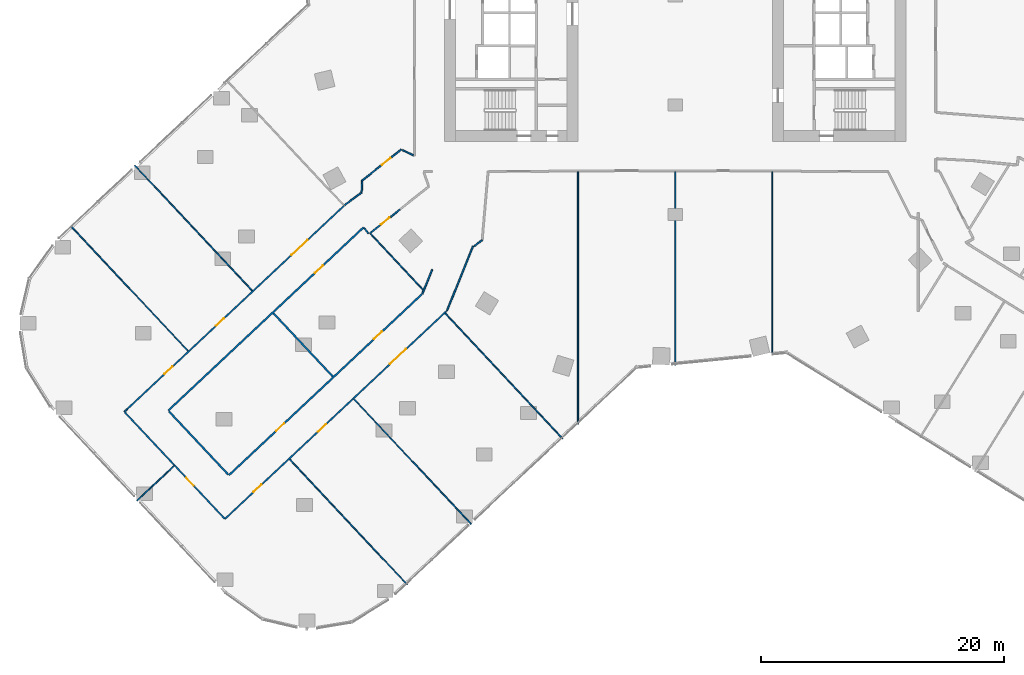
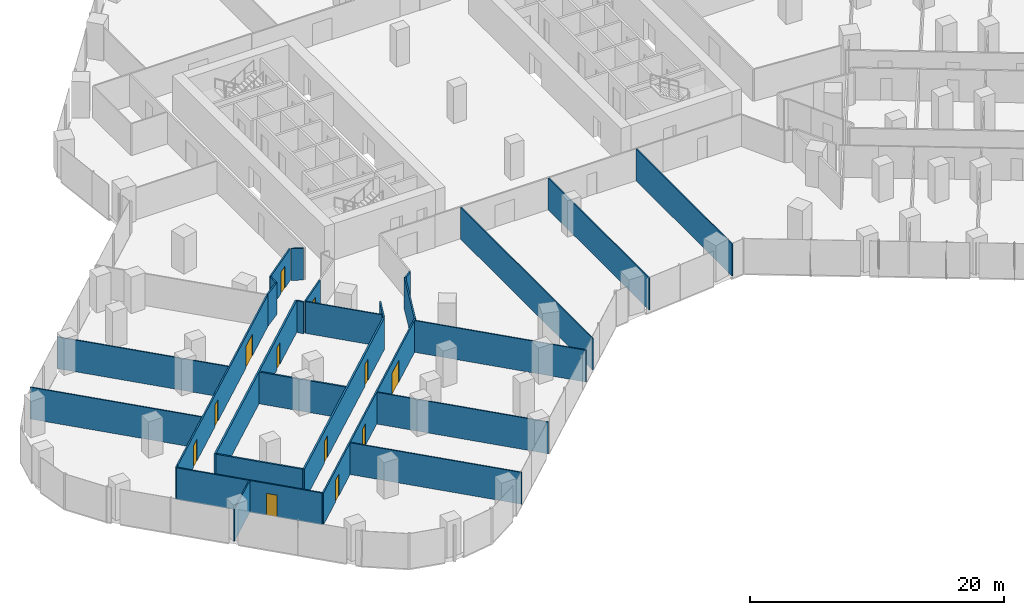
# One storey, part 27 of 34: 27 walls, 12 doors, 12 openings.
"""IFC4 building model written with IfcOpenShell, lengths in metres."""

from ifc_helpers import new_model, si_unit, direction, frame, frame_2d, origin, place, context, subcontext, project, spatial, rectangle, extrude, material, layer, layer_set, type_object, element, fill, save


model = new_model("IFC4")

# Units and contexts
model_context = context("Model", 3, precision=1e-05, world=origin(), true_north=direction((0.0, 1.0)))
body_context = subcontext(model_context, "Body", "Model", "MODEL_VIEW")
ifc_project = project(units=[si_unit("LENGTHUNIT", "METRE"), si_unit("AREAUNIT", "SQUARE_METRE"), si_unit("VOLUMEUNIT", "CUBIC_METRE"), si_unit("PLANEANGLEUNIT", "RADIAN"), si_unit("MASSUNIT", "GRAM", prefix="KILO")], contexts=[model_context])

# Site, building, storey
site_placement = place(None, origin())
site = spatial("IfcSite", under=ifc_project, at=site_placement, CompositionType="ELEMENT")
building_placement = place(site_placement, origin())
building = spatial("IfcBuilding", under=site, at=building_placement, Name="Orlundy Tower", CompositionType="ELEMENT")
storey_placement = place(building_placement, frame((0.0, 0.0, 47.800048828125)))
storey = spatial("IfcBuildingStorey", under=building, at=storey_placement, Name="L10", CompositionType="ELEMENT", Elevation=47.800048828125)

# Walls
ifc_material_1 = material(Name="Gypsum board partition")
ifc_layer_1 = layer(ifc_material_1, 0.10009765625)
ifc_layer_set_1 = layer_set([ifc_layer_1], Name="Floor partition 100")
wall_type_1 = type_object("IfcWallType", Name="Floor partition 100", PredefinedType="PARTITIONING", material=ifc_layer_set_1)
for number, where, z_axis, x_axis, name in (
    (1, (-49.77392578125, -18.923095703125, 0.0), (0.0, 0.0, 1.0), (0.684111730838, -0.729377227317, 0.0), "wall-int-L10-011"),
    (2, (-31.739013671875, -38.152099609375, 0.0), (0.0, 0.0, 1.0), (0.684192134114, -0.729301805576, 0.0), "wall-int-L10-012"),
):
    element("IfcWall", number, at=place(storey_placement, frame(where, z_axis=z_axis, x_axis=x_axis)), inside=storey, type_object=wall_type_1, Name=name, PredefinedType="PARTITIONING", context=body_context, shape_type="SweptSolid", body=[
        extrude(rectangle(XDim=14.136474609375, YDim=0.10009765625, at=frame_2d((7.068359375, 0.0))), origin(), (0.0, 0.0, 1.0), 3.06005859375),
    ])
for number, where, z_axis, x_axis, name in (
    (3, (-44.487060546875, -13.962890625, 0.0), (0.0, 0.0, 1.0), (0.684112301014, -0.729376692526, 0.0), "wall-int-L10-013"),
    (4, (-26.450927734375, -33.19189453125, 0.0), (0.0, 0.0, 1.0), (0.684103113435, -0.729385309825, 0.0), "wall-int-L10-015"),
):
    element("IfcWall", number, at=place(storey_placement, frame(where, z_axis=z_axis, x_axis=x_axis)), inside=storey, type_object=wall_type_1, Name=name, PredefinedType="PARTITIONING", context=body_context, shape_type="SweptSolid", body=[
        extrude(rectangle(XDim=14.13671875, YDim=0.10009765625, at=frame_2d((7.068359375, 0.0))), origin(), (0.0, 0.0, 1.0), 3.06005859375),
    ])
wall_1_placement = place(storey_placement, frame((-25.0791015625, -19.589111328125, 0.0), z_axis=(0.0, 0.0, 1.0), x_axis=(0.684071212636, -0.729415228825, 0.0)))
element("IfcWall", 5, at=wall_1_placement, inside=storey, type_object=wall_type_1, Name="wall-int-L10-017", PredefinedType="PARTITIONING", context=body_context, shape_type="SweptSolid", body=[
    extrude(rectangle(XDim=6.304931640625, YDim=0.10009765625, at=frame_2d((3.15234375, 0.0))), origin(), (0.0, 0.0, 1.0), 3.06005859375),
])
wall_2_placement = place(storey_placement, frame((-18.93408203125, -26.14111328125, 0.0), z_axis=(0.0, 0.0, 1.0), x_axis=(0.684157665042, -0.729334141094, 0.0)))
element("IfcWall", 6, at=wall_2_placement, inside=storey, type_object=wall_type_1, Name="wall-int-L10-018", PredefinedType="PARTITIONING", context=body_context, shape_type="SweptSolid", body=[
    extrude(rectangle(XDim=14.13720703125, YDim=0.10009765625, at=frame_2d((7.068603515625, 0.0))), origin(), (0.0, 0.0, 1.0), 3.06005859375),
])
wall_3_placement = place(storey_placement, frame((-44.30908203125, -41.56103515625, 0.0), z_axis=(0.0, 0.0, 1.0), x_axis=(0.729200696285, 0.684299893715, 0.0)))
element("IfcWall", 7, at=wall_3_placement, inside=storey, type_object=wall_type_1, Name="wall-int-L10-053", PredefinedType="PARTITIONING", context=body_context, shape_type="SweptSolid", body=[
    extrude(rectangle(XDim=4.186767578125, YDim=0.10009765625, at=frame_2d((2.09326171875, 0.0))), origin(), (0.0, 0.0, 1.0), 3.06005859375),
])
wall_4_placement = place(storey_placement, frame((8.0, -29.60498046875, 0.0), z_axis=(0.0, 0.0, 1.0), x_axis=(0.0, 1.0, 0.0)))
element("IfcWall", 8, at=wall_4_placement, inside=storey, type_object=wall_type_1, Name="wall-int-L10-078", PredefinedType="PARTITIONING", context=body_context, shape_type="SweptSolid", body=[
    extrude(rectangle(XDim=15.14208984375, YDim=0.10009765625, at=frame_2d((7.571044921875, 0.0))), origin(), (0.0, 0.0, 1.0), 3.06005859375),
])
wall_5_placement = place(storey_placement, frame((0.0, -30.39794921875, 0.0), z_axis=(0.0, 0.0, 1.0), x_axis=(0.0, 1.0, 0.0)))
element("IfcWall", 9, at=wall_5_placement, inside=storey, type_object=wall_type_1, Name="wall-int-L10-080", PredefinedType="PARTITIONING", context=body_context, shape_type="SweptSolid", body=[
    extrude(rectangle(XDim=15.93505859375, YDim=0.10009765625, at=frame_2d((7.967529296875, 0.0))), origin(), (0.0, 0.0, 1.0), 3.06005859375),
])
wall_6_placement = place(storey_placement, frame((-8.0, -35.26806640625, 0.0), z_axis=(0.0, 0.0, 1.0), x_axis=(0.0, 1.0, 0.0)))
element("IfcWall", 10, at=wall_6_placement, inside=storey, type_object=wall_type_1, Name="wall-int-L10-082", PredefinedType="PARTITIONING", context=body_context, shape_type="SweptSolid", body=[
    extrude(rectangle(XDim=20.80517578125, YDim=0.10009765625, at=frame_2d((10.402587890625, 0.0))), origin(), (0.0, 0.0, 1.0), 3.06005859375),
])
ifc_material_2 = material(Name="Gypsum board partition, double layer")
ifc_layer_2 = layer(ifc_material_2, 0.125)
ifc_layer_set_2 = layer_set([ifc_layer_2], Name="Floor partition 125")
wall_type_2 = type_object("IfcWallType", Name="Floor partition 125", PredefinedType="PARTITIONING", material=ifc_layer_set_2)
wall_7_placement = place(storey_placement, frame((-25.60400390625, -19.114013671875, 0.0), z_axis=(0.0, 0.0, 1.0), x_axis=(0.619381829891, -0.785089898548, 0.0)))
element("IfcWall", 11, at=wall_7_placement, inside=storey, type_object=wall_type_2, Name="wall-int-L10-007", PredefinedType="PARTITIONING", context=body_context, shape_type="SweptSolid", body=[
    extrude(rectangle(XDim=0.5732421875, YDim=0.125, at=frame_2d((0.28662109375, 0.0))), origin(), (0.0, 0.0, 1.0), 3.06005859375),
])
wall_8_placement = place(storey_placement, frame((-25.77392578125, -15.281005859375, 0.0), z_axis=(0.0, 0.0, 1.0), x_axis=(-0.038899975067, -0.999243109528, 0.0)))
element("IfcWall", 12, at=wall_8_placement, inside=storey, type_object=wall_type_2, Name="wall-int-L10-008", PredefinedType="PARTITIONING", context=body_context, shape_type="SweptSolid", body=[
    extrude(rectangle(XDim=0.90380859375, YDim=0.125, at=frame_2d((0.451904296875, 0.0))), origin(), (0.0, 0.0, 1.0), 3.06005859375),
])

# Wall, opening, door
wall_9_placement = place(storey_placement, frame((-37.10107421875, -43.031982421875, 0.0), z_axis=(0.0, 0.0, 1.0), x_axis=(-0.684230259848, 0.729266036168, 0.0)))
wall_9 = element("IfcWall", 13, at=wall_9_placement, inside=storey, type_object=wall_type_2, Name="wall-int-L10-009", PredefinedType="PARTITIONING", context=body_context, shape_type="SweptSolid", body=[
    extrude(rectangle(XDim=11.991455078125, YDim=0.125, at=frame_2d((5.99560546875, 0.0))), origin(), (0.0, 0.0, 1.0), 3.06005859375),
])
opening_1_placement = place(wall_9_placement, frame((3.704345703125, 0.0, 0.0)))
opening_1 = element("IfcOpeningElement", 14, at=opening_1_placement, cuts=wall_9, Name="Opening 09117", PredefinedType="OPENING", context=body_context, shape_type="SweptSolid", body=[
    extrude(rectangle(XDim=0.89990234375, YDim=2.10009765625, at=frame_2d((0.449951171875, 1.050048828125))), frame((0.0, 0.072509765625, 0.0), z_axis=(0.0, -1.0, 0.0), x_axis=(1.0, 0.0, 0.0)), (0.0, 0.0, 1.0), 0.14501953125),
])
ifc_material_3 = material(Name="Timber door leaf", Category="wood")
door_type_1 = type_object("IfcDoorType", Name="Floor door single 900 FD30S", OperationType="NOTDEFINED", PredefinedType="DOOR", material=ifc_material_3)
door_1_placement = place(opening_1_placement, origin())
door_1 = element("IfcDoor", 15, at=door_1_placement, inside=storey, type_object=door_type_1, Name="Door 09117", OperationType="SINGLE_SWING_LEFT", OverallHeight=2.10009765625, OverallWidth=0.89990234375, PredefinedType="DOOR", context=body_context, shape_type="SweptSolid", body=[
    extrude(rectangle(XDim=0.89990234375, YDim=2.10009765625, at=frame_2d((0.449951171875, 1.050048828125))), frame((0.0, 0.02490234375, 0.0), z_axis=(0.0, -1.0, 0.0), x_axis=(1.0, 0.0, 0.0)), (0.0, 0.0, 1.0), 0.050048828125),
])
fill(opening_1, door_1)

# Walls
wall_10_placement = place(storey_placement, frame((-22.43896484375, -12.699951171875, 0.0), z_axis=(0.0, 0.0, 1.0), x_axis=(0.900058849061, -0.435768365335, 0.0)))
element("IfcWall", 16, at=wall_10_placement, inside=storey, type_object=wall_type_2, Name="wall-int-L10-028", PredefinedType="PARTITIONING", context=body_context, shape_type="SweptSolid", body=[
    extrude(rectangle(XDim=0.984375, YDim=0.125, at=frame_2d((0.4921875, 0.0))), origin(), (0.0, 0.0, 1.0), 3.06005859375),
])
wall_11_placement = place(storey_placement, frame((-16.552978515625, -20.610107421875, 0.0), z_axis=(0.0, 0.0, 1.0), x_axis=(0.799610497066, 0.600518986362, 0.0)))
element("IfcWall", 17, at=wall_11_placement, inside=storey, type_object=wall_type_2, Name="wall-int-L10-032", PredefinedType="PARTITIONING", context=body_context, shape_type="SweptSolid", body=[
    extrude(rectangle(XDim=0.82763671875, YDim=0.125, at=frame_2d((0.413818359375, 0.0))), origin(), (0.0, 0.0, 1.0), 3.06005859375),
])
wall_12_placement = place(storey_placement, frame((-25.80908203125, -16.18408203125, 0.0), z_axis=(0.0, 0.0, 1.0), x_axis=(-0.801880216927, -0.597484826336, 0.0)))
element("IfcWall", 18, at=wall_12_placement, inside=storey, type_object=wall_type_2, Name="wall-int-L10-046", PredefinedType="PARTITIONING", context=body_context, shape_type="SweptSolid", body=[
    extrude(rectangle(XDim=1.757080078125, YDim=0.125, at=frame_2d((0.87841796875, 0.0))), origin(), (0.0, 0.0, 1.0), 3.06005859375),
])

# Wall, opening, door
wall_13_placement = place(storey_placement, frame((-25.81201171875, -15.23193359375, 0.0), z_axis=(0.0, 0.0, 1.0), x_axis=(0.784897756529, 0.619625299513, 0.0)))
wall_13 = element("IfcWall", 19, at=wall_13_placement, inside=storey, type_object=wall_type_2, Name="wall-int-L10-048", PredefinedType="PARTITIONING", context=body_context, shape_type="SweptSolid", body=[
    extrude(rectangle(XDim=4.168701171875, YDim=0.125, at=frame_2d((2.08447265625, 0.0))), origin(), (0.0, 0.0, 1.0), 3.06005859375),
])
opening_2_placement = place(wall_13_placement, frame((2.123779296875, 0.0, 0.0)))
opening_2 = element("IfcOpeningElement", 20, at=opening_2_placement, cuts=wall_13, Name="Opening 09121", PredefinedType="OPENING", context=body_context, shape_type="SweptSolid", body=[
    extrude(rectangle(XDim=0.89990234375, YDim=2.10009765625, at=frame_2d((0.449951171875, 1.050048828125))), frame((0.0, 0.072509765625, 0.0), z_axis=(0.0, -1.0, 0.0), x_axis=(1.0, 0.0, 0.0)), (0.0, 0.0, 1.0), 0.14501953125),
])
door_2_placement = place(opening_2_placement, origin())
door_2 = element("IfcDoor", 21, at=door_2_placement, inside=storey, type_object=door_type_1, Name="Door 09121", OperationType="SINGLE_SWING_RIGHT", OverallHeight=2.10009765625, OverallWidth=0.89990234375, PredefinedType="DOOR", context=body_context, shape_type="SweptSolid", body=[
    extrude(rectangle(XDim=0.89990234375, YDim=2.10009765625, at=frame_2d((0.449951171875, 1.050048828125))), frame((0.0, 0.02490234375, 0.0), z_axis=(0.0, -1.0, 0.0), x_axis=(1.0, 0.0, 0.0)), (0.0, 0.0, 1.0), 0.050048828125),
])
fill(opening_2, door_2)

wall_14_placement = place(storey_placement, frame((-22.653076171875, -17.5810546875, 0.0), z_axis=(0.0, 0.0, 1.0), x_axis=(-0.782918971935, -0.622123688171, 0.0)))
wall_14 = element("IfcWall", 22, at=wall_14_placement, inside=storey, type_object=wall_type_2, Name="wall-int-L10-049", PredefinedType="PARTITIONING", context=body_context, shape_type="SweptSolid", body=[
    extrude(rectangle(XDim=3.153564453125, YDim=0.125, at=frame_2d((1.57666015625, 0.0))), origin(), (0.0, 0.0, 1.0), 3.06005859375),
])
opening_3_placement = place(wall_14_placement, frame((1.10009765625, 0.0, 0.0)))
opening_3 = element("IfcOpeningElement", 23, at=opening_3_placement, cuts=wall_14, Name="Opening 09123", PredefinedType="OPENING", context=body_context, shape_type="SweptSolid", body=[
    extrude(rectangle(XDim=0.89990234375, YDim=2.10009765625, at=frame_2d((0.449951171875, 1.050048828125))), frame((0.0, 0.072509765625, 0.0), z_axis=(0.0, -1.0, 0.0), x_axis=(1.0, 0.0, 0.0)), (0.0, 0.0, 1.0), 0.14501953125),
])
door_3_placement = place(opening_3_placement, origin())
door_3 = element("IfcDoor", 24, at=door_3_placement, inside=storey, type_object=door_type_1, Name="Door 09123", OperationType="SINGLE_SWING_LEFT", OverallHeight=2.10009765625, OverallWidth=0.89990234375, PredefinedType="DOOR", context=body_context, shape_type="SweptSolid", body=[
    extrude(rectangle(XDim=0.89990234375, YDim=2.10009765625, at=frame_2d((0.449951171875, 1.050048828125))), frame((0.0, 0.02490234375, 0.0), z_axis=(0.0, -1.0, 0.0), x_axis=(1.0, 0.0, 0.0)), (0.0, 0.0, 1.0), 0.050048828125),
])
fill(opening_3, door_3)

# Wall
wall_15_placement = place(storey_placement, frame((-45.34912109375, -34.239990234375, 0.0), z_axis=(0.0, 0.0, 1.0), x_axis=(0.730297588588, 0.683129147455, 0.0)))
element("IfcWall", 25, at=wall_15_placement, inside=storey, type_object=wall_type_2, Name="wall-int-L10-050", PredefinedType="PARTITIONING", context=body_context, shape_type="SweptSolid", body=[
    extrude(rectangle(XDim=0.30029296875, YDim=0.125, at=frame_2d((0.150146484375, 0.0))), origin(), (0.0, 0.0, 1.0), 3.06005859375),
])

# Wall, openings, doors
wall_16_placement = place(storey_placement, frame((-18.8291015625, -25.95703125, 0.0), z_axis=(0.0, 0.0, 1.0), x_axis=(-0.729377966172, -0.684110943096, 0.0)))
wall_16 = element("IfcWall", 26, at=wall_16_placement, inside=storey, type_object=wall_type_2, Name="wall-int-L10-051", PredefinedType="PARTITIONING", context=body_context, shape_type="SweptSolid", body=[
    extrude(rectangle(XDim=25.009033203125, YDim=0.125, at=frame_2d((12.50439453125, 0.0))), origin(), (0.0, 0.0, 1.0), 3.06005859375),
])
opening_4_placement = place(wall_16_placement, frame((4.552490234375, 0.0, 0.0)))
opening_4 = element("IfcOpeningElement", 27, at=opening_4_placement, cuts=wall_16, Name="Opening 09110", PredefinedType="OPENING", context=body_context, shape_type="SweptSolid", body=[
    extrude(rectangle(XDim=1.800048828125, YDim=2.10009765625, at=frame_2d((0.89990234375, 1.050048828125))), frame((0.0, 0.072509765625, 0.0), z_axis=(0.0, -1.0, 0.0), x_axis=(1.0, 0.0, 0.0)), (0.0, 0.0, 1.0), 0.14501953125),
])
opening_5_placement = place(wall_16_placement, frame((13.60888671875, 0.0, 0.0)))
opening_5 = element("IfcOpeningElement", 28, at=opening_5_placement, cuts=wall_16, Name="Opening 09114", PredefinedType="OPENING", context=body_context, shape_type="SweptSolid", body=[
    extrude(rectangle(XDim=0.89990234375, YDim=2.10009765625, at=frame_2d((0.449951171875, 1.050048828125))), frame((0.0, 0.072509765625, 0.0), z_axis=(0.0, -1.0, 0.0), x_axis=(1.0, 0.0, 0.0)), (0.0, 0.0, 1.0), 0.14501953125),
])
opening_6_placement = place(wall_16_placement, frame((20.859130859375, 0.0, 0.0)))
opening_6 = element("IfcOpeningElement", 29, at=opening_6_placement, cuts=wall_16, Name="Opening 09118", PredefinedType="OPENING", context=body_context, shape_type="SweptSolid", body=[
    extrude(rectangle(XDim=0.89990234375, YDim=2.10009765625, at=frame_2d((0.449951171875, 1.050048828125))), frame((0.0, 0.072509765625, 0.0), z_axis=(0.0, -1.0, 0.0), x_axis=(1.0, 0.0, 0.0)), (0.0, 0.0, 1.0), 0.14501953125),
])
ifc_material_4 = material(Name="Timber door leaf", Category="wood")
door_type_2 = type_object("IfcDoorType", Name="Floor door double 1800 FD30S", OperationType="NOTDEFINED", PredefinedType="DOOR", material=ifc_material_4)
door_4_placement = place(opening_4_placement, origin())
door_4 = element("IfcDoor", 30, at=door_4_placement, inside=storey, type_object=door_type_2, Name="Door 09110", OperationType="DOUBLE_DOOR_SINGLE_SWING", OverallHeight=2.10009765625, OverallWidth=1.800048828125, PredefinedType="DOOR", context=body_context, shape_type="SweptSolid", body=[
    extrude(rectangle(XDim=1.800048828125, YDim=2.10009765625, at=frame_2d((0.89990234375, 1.050048828125))), frame((0.0, 0.02490234375, 0.0), z_axis=(0.0, -1.0, 0.0), x_axis=(1.0, 0.0, 0.0)), (0.0, 0.0, 1.0), 0.050048828125),
])
fill(opening_4, door_4)
door_5_placement = place(opening_5_placement, origin())
door_5 = element("IfcDoor", 31, at=door_5_placement, inside=storey, type_object=door_type_1, Name="Door 09114", OperationType="SINGLE_SWING_RIGHT", OverallHeight=2.10009765625, OverallWidth=0.89990234375, PredefinedType="DOOR", context=body_context, shape_type="SweptSolid", body=[
    extrude(rectangle(XDim=0.89990234375, YDim=2.10009765625, at=frame_2d((0.449951171875, 1.050048828125))), frame((0.0, 0.02490234375, 0.0), z_axis=(0.0, -1.0, 0.0), x_axis=(1.0, 0.0, 0.0)), (0.0, 0.0, 1.0), 0.050048828125),
])
fill(opening_5, door_5)
door_6_placement = place(opening_6_placement, origin())
door_6 = element("IfcDoor", 32, at=door_6_placement, inside=storey, type_object=door_type_1, Name="Door 09118", OperationType="SINGLE_SWING_RIGHT", OverallHeight=2.10009765625, OverallWidth=0.89990234375, PredefinedType="DOOR", context=body_context, shape_type="SweptSolid", body=[
    extrude(rectangle(XDim=0.89990234375, YDim=2.10009765625, at=frame_2d((0.449951171875, 1.050048828125))), frame((0.0, 0.02490234375, 0.0), z_axis=(0.0, -1.0, 0.0), x_axis=(1.0, 0.0, 0.0)), (0.0, 0.0, 1.0), 0.050048828125),
])
fill(opening_6, door_6)

wall_17_placement = place(storey_placement, frame((-45.1298828125, -34.034912109375, 0.0), z_axis=(0.0, 0.0, 1.0), x_axis=(0.729450212829, 0.684033907788, 0.0)))
wall_17 = element("IfcWall", 33, at=wall_17_placement, inside=storey, type_object=wall_type_2, Name="wall-int-L10-055", PredefinedType="PARTITIONING", context=body_context, shape_type="SweptSolid", body=[
    extrude(rectangle(XDim=24.50732421875, YDim=0.125, at=frame_2d((12.253662109375, 0.0))), origin(), (0.0, 0.0, 1.0), 3.06005859375),
])
opening_7_placement = place(wall_17_placement, frame((10.05078125, 0.0, 0.0)))
opening_7 = element("IfcOpeningElement", 34, at=opening_7_placement, cuts=wall_17, Name="Opening 09113", PredefinedType="OPENING", context=body_context, shape_type="SweptSolid", body=[
    extrude(rectangle(XDim=0.89990234375, YDim=2.10009765625, at=frame_2d((0.449951171875, 1.050048828125))), frame((0.0, 0.072509765625, 0.0), z_axis=(0.0, -1.0, 0.0), x_axis=(1.0, 0.0, 0.0)), (0.0, 0.0, 1.0), 0.14501953125),
])
opening_8_placement = place(wall_17_placement, frame((4.25048828125, 0.0, 0.0)))
opening_8 = element("IfcOpeningElement", 35, at=opening_8_placement, cuts=wall_17, Name="Opening 09116", PredefinedType="OPENING", context=body_context, shape_type="SweptSolid", body=[
    extrude(rectangle(XDim=0.89990234375, YDim=2.10009765625, at=frame_2d((0.449951171875, 1.050048828125))), frame((0.0, 0.072509765625, 0.0), z_axis=(0.0, -1.0, 0.0), x_axis=(1.0, 0.0, 0.0)), (0.0, 0.0, 1.0), 0.14501953125),
])
opening_9_placement = place(wall_17_placement, frame((18.55029296875, 0.0, 0.0)))
opening_9 = element("IfcOpeningElement", 36, at=opening_9_placement, cuts=wall_17, Name="Opening 09119", PredefinedType="OPENING", context=body_context, shape_type="SweptSolid", body=[
    extrude(rectangle(XDim=1.800048828125, YDim=2.10009765625, at=frame_2d((0.89990234375, 1.050048828125))), frame((0.0, 0.072509765625, 0.0), z_axis=(0.0, -1.0, 0.0), x_axis=(1.0, 0.0, 0.0)), (0.0, 0.0, 1.0), 0.14501953125),
])
door_7_placement = place(opening_9_placement, origin())
door_7 = element("IfcDoor", 37, at=door_7_placement, inside=storey, type_object=door_type_2, Name="Door 09119", OperationType="DOUBLE_DOOR_SINGLE_SWING", OverallHeight=2.10009765625, OverallWidth=1.800048828125, PredefinedType="DOOR", context=body_context, shape_type="SweptSolid", body=[
    extrude(rectangle(XDim=1.800048828125, YDim=2.10009765625, at=frame_2d((0.89990234375, 1.050048828125))), frame((0.0, 0.02490234375, 0.0), z_axis=(0.0, -1.0, 0.0), x_axis=(1.0, 0.0, 0.0)), (0.0, 0.0, 1.0), 0.050048828125),
])
fill(opening_9, door_7)
door_8_placement = place(opening_7_placement, origin())
door_8 = element("IfcDoor", 38, at=door_8_placement, inside=storey, type_object=door_type_1, Name="Door 09113", OperationType="SINGLE_SWING_LEFT", OverallHeight=2.10009765625, OverallWidth=0.89990234375, PredefinedType="DOOR", context=body_context, shape_type="SweptSolid", body=[
    extrude(rectangle(XDim=0.89990234375, YDim=2.10009765625, at=frame_2d((0.449951171875, 1.050048828125))), frame((0.0, 0.02490234375, 0.0), z_axis=(0.0, -1.0, 0.0), x_axis=(1.0, 0.0, 0.0)), (0.0, 0.0, 1.0), 0.050048828125),
])
fill(opening_7, door_8)
door_9_placement = place(opening_8_placement, origin())
door_9 = element("IfcDoor", 39, at=door_9_placement, inside=storey, type_object=door_type_1, Name="Door 09116", OperationType="SINGLE_SWING_LEFT", OverallHeight=2.10009765625, OverallWidth=0.89990234375, PredefinedType="DOOR", context=body_context, shape_type="SweptSolid", body=[
    extrude(rectangle(XDim=0.89990234375, YDim=2.10009765625, at=frame_2d((0.449951171875, 1.050048828125))), frame((0.0, 0.02490234375, 0.0), z_axis=(0.0, -1.0, 0.0), x_axis=(1.0, 0.0, 0.0)), (0.0, 0.0, 1.0), 0.050048828125),
])
fill(opening_8, door_9)

# Walls
wall_18_placement = place(storey_placement, frame((-18.783935546875, -25.9140625, 0.0), z_axis=(0.0, 0.0, 1.0), x_axis=(0.374782940322, 0.927112586283, 0.0)))
element("IfcWall", 40, at=wall_18_placement, inside=storey, type_object=wall_type_2, Name="wall-int-L10-069", PredefinedType="PARTITIONING", context=body_context, shape_type="SweptSolid", body=[
    extrude(rectangle(XDim=5.728515625, YDim=0.125, at=frame_2d((2.8642578125, 0.0))), origin(), (0.0, 0.0, 1.0), 3.06005859375),
])
wall_19_placement = place(storey_placement, frame((-20.0, -22.51611328125, 0.0), z_axis=(0.0, 0.0, 1.0), x_axis=(-0.374768568838, -0.92711839579, 0.0)))
element("IfcWall", 41, at=wall_19_placement, inside=storey, type_object=wall_type_2, Name="wall-int-L10-070", PredefinedType="PARTITIONING", context=body_context, shape_type="SweptSolid", body=[
    extrude(rectangle(XDim=2.166748046875, YDim=0.125, at=frame_2d((1.08349609375, 0.0))), origin(), (0.0, 0.0, 1.0), 3.06005859375),
])
ifc_material_5 = material(Name="Blockwork shaft wall", Category="masonry")
ifc_layer_3 = layer(ifc_material_5, 0.14990234375)
ifc_layer_set_3 = layer_set([ifc_layer_3], Name="Floor shaft wall 150")
wall_type_3 = type_object("IfcWallType", Name="Floor shaft wall 150", PredefinedType="PARTITIONING", material=ifc_layer_set_3)
wall_20_placement = place(storey_placement, frame((-41.68505859375, -34.198974609375, 0.0), z_axis=(0.0, 0.0, 1.0), x_axis=(0.68422395917, -0.729271947697, 0.0)))
element("IfcWall", 42, at=wall_20_placement, inside=storey, type_object=wall_type_3, Name="wall-int-L10-010", PredefinedType="PARTITIONING", context=body_context, shape_type="SweptSolid", body=[
    extrude(rectangle(XDim=7.1484375, YDim=0.14990234375, at=frame_2d((3.57421875, 0.0))), origin(), (0.0, 0.0, 1.0), 3.06005859375),
])
wall_21_placement = place(storey_placement, frame((-33.0791015625, -26.1259765625, 0.0), z_axis=(0.0, 0.0, 1.0), x_axis=(0.684155795313, -0.729335895003, 0.0)))
element("IfcWall", 43, at=wall_21_placement, inside=storey, type_object=wall_type_3, Name="wall-int-L10-014", PredefinedType="PARTITIONING", context=body_context, shape_type="SweptSolid", body=[
    extrude(rectangle(XDim=7.149169921875, YDim=0.14990234375, at=frame_2d((3.57470703125, 0.0))), origin(), (0.0, 0.0, 1.0), 3.06005859375),
])

# Wall, openings, doors
wall_22_placement = place(storey_placement, frame((-36.742919921875, -39.467041015625, 0.0), z_axis=(0.0, 0.0, 1.0), x_axis=(0.729355050799, 0.684135373939, 0.0)))
wall_22 = element("IfcWall", 44, at=wall_22_placement, inside=storey, type_object=wall_type_3, Name="wall-int-L10-052", PredefinedType="PARTITIONING", context=body_context, shape_type="SweptSolid", body=[
    extrude(rectangle(XDim=21.779541015625, YDim=0.14990234375, at=frame_2d((10.8896484375, 0.0))), origin(), (0.0, 0.0, 1.0), 3.06005859375),
])
opening_10_placement = place(wall_22_placement, frame((16.399169921875, 0.0, 0.0)))
opening_10 = element("IfcOpeningElement", 45, at=opening_10_placement, cuts=wall_22, Name="Opening 09112", PredefinedType="OPENING", context=body_context, shape_type="SweptSolid", body=[
    extrude(rectangle(XDim=0.89990234375, YDim=2.10009765625, at=frame_2d((0.449951171875, 1.050048828125))), frame((0.0, 0.0849609375, 0.0), z_axis=(0.0, -1.0, 0.0), x_axis=(1.0, 0.0, 0.0)), (0.0, 0.0, 1.0), 0.169921875),
])
opening_11_placement = place(wall_22_placement, frame((5.35009765625, 0.0, 0.0)))
opening_11 = element("IfcOpeningElement", 46, at=opening_11_placement, cuts=wall_22, Name="Opening 09115", PredefinedType="OPENING", context=body_context, shape_type="SweptSolid", body=[
    extrude(rectangle(XDim=0.89990234375, YDim=2.10009765625, at=frame_2d((0.449951171875, 1.050048828125))), frame((0.0, 0.0849609375, 0.0), z_axis=(0.0, -1.0, 0.0), x_axis=(1.0, 0.0, 0.0)), (0.0, 0.0, 1.0), 0.169921875),
])
ifc_material_6 = material(Name="Timber door leaf", Category="wood")
door_type_3 = type_object("IfcDoorType", Name="Floor door single 900 FD60", OperationType="NOTDEFINED", PredefinedType="DOOR", material=ifc_material_6)
door_10_placement = place(opening_10_placement, origin())
door_10 = element("IfcDoor", 47, at=door_10_placement, inside=storey, type_object=door_type_3, Name="Door 09112", OperationType="SINGLE_SWING_RIGHT", OverallHeight=2.10009765625, OverallWidth=0.89990234375, PredefinedType="DOOR", context=body_context, shape_type="SweptSolid", body=[
    extrude(rectangle(XDim=0.89990234375, YDim=2.10009765625, at=frame_2d((0.449951171875, 1.050048828125))), frame((0.0, 0.02490234375, 0.0), z_axis=(0.0, -1.0, 0.0), x_axis=(1.0, 0.0, 0.0)), (0.0, 0.0, 1.0), 0.050048828125),
])
fill(opening_10, door_10)
door_11_placement = place(opening_11_placement, origin())
door_11 = element("IfcDoor", 48, at=door_11_placement, inside=storey, type_object=door_type_3, Name="Door 09115", OperationType="SINGLE_SWING_LEFT", OverallHeight=2.10009765625, OverallWidth=0.89990234375, PredefinedType="DOOR", context=body_context, shape_type="SweptSolid", body=[
    extrude(rectangle(XDim=0.89990234375, YDim=2.10009765625, at=frame_2d((0.449951171875, 1.050048828125))), frame((0.0, 0.02490234375, 0.0), z_axis=(0.0, -1.0, 0.0), x_axis=(1.0, 0.0, 0.0)), (0.0, 0.0, 1.0), 0.050048828125),
])
fill(opening_11, door_11)

# Wall, opening, door
wall_23_placement = place(storey_placement, frame((-25.65087890625, -19.054931640625, 0.0), z_axis=(0.0, 0.0, 1.0), x_axis=(-0.729328318393, -0.684163872175, 0.0)))
wall_23 = element("IfcWall", 49, at=wall_23_placement, inside=storey, type_object=wall_type_3, Name="wall-int-L10-054", PredefinedType="PARTITIONING", context=body_context, shape_type="SweptSolid", body=[
    extrude(rectangle(XDim=22.054931640625, YDim=0.14990234375, at=frame_2d((11.02734375, 0.0))), origin(), (0.0, 0.0, 1.0), 3.06005859375),
])
opening_12_placement = place(wall_23_placement, frame((4.599853515625, 0.0, 0.0)))
opening_12 = element("IfcOpeningElement", 50, at=opening_12_placement, cuts=wall_23, Name="Opening 09111", PredefinedType="OPENING", context=body_context, shape_type="SweptSolid", body=[
    extrude(rectangle(XDim=0.89990234375, YDim=2.10009765625, at=frame_2d((0.449951171875, 1.050048828125))), frame((0.0, 0.0849609375, 0.0), z_axis=(0.0, -1.0, 0.0), x_axis=(1.0, 0.0, 0.0)), (0.0, 0.0, 1.0), 0.169921875),
])
door_12_placement = place(opening_12_placement, origin())
door_12 = element("IfcDoor", 51, at=door_12_placement, inside=storey, type_object=door_type_3, Name="Door 09111", OperationType="SINGLE_SWING_LEFT", OverallHeight=2.10009765625, OverallWidth=0.89990234375, PredefinedType="DOOR", context=body_context, shape_type="SweptSolid", body=[
    extrude(rectangle(XDim=0.89990234375, YDim=2.10009765625, at=frame_2d((0.449951171875, 1.050048828125))), frame((0.0, 0.02490234375, 0.0), z_axis=(0.0, -1.0, 0.0), x_axis=(1.0, 0.0, 0.0)), (0.0, 0.0, 1.0), 0.050048828125),
])
fill(opening_12, door_12)

save(model, "model.ifc")
